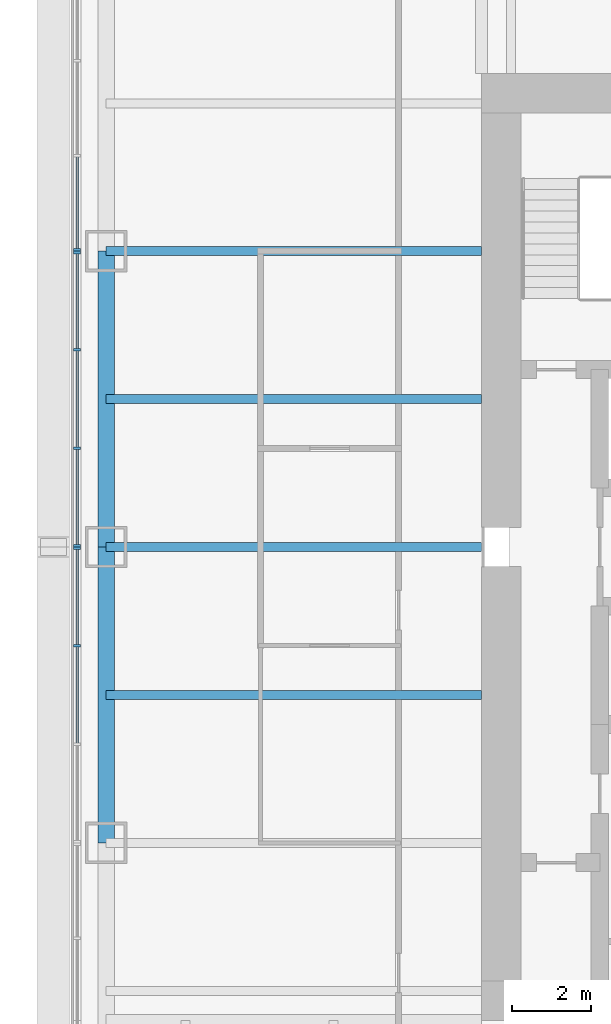
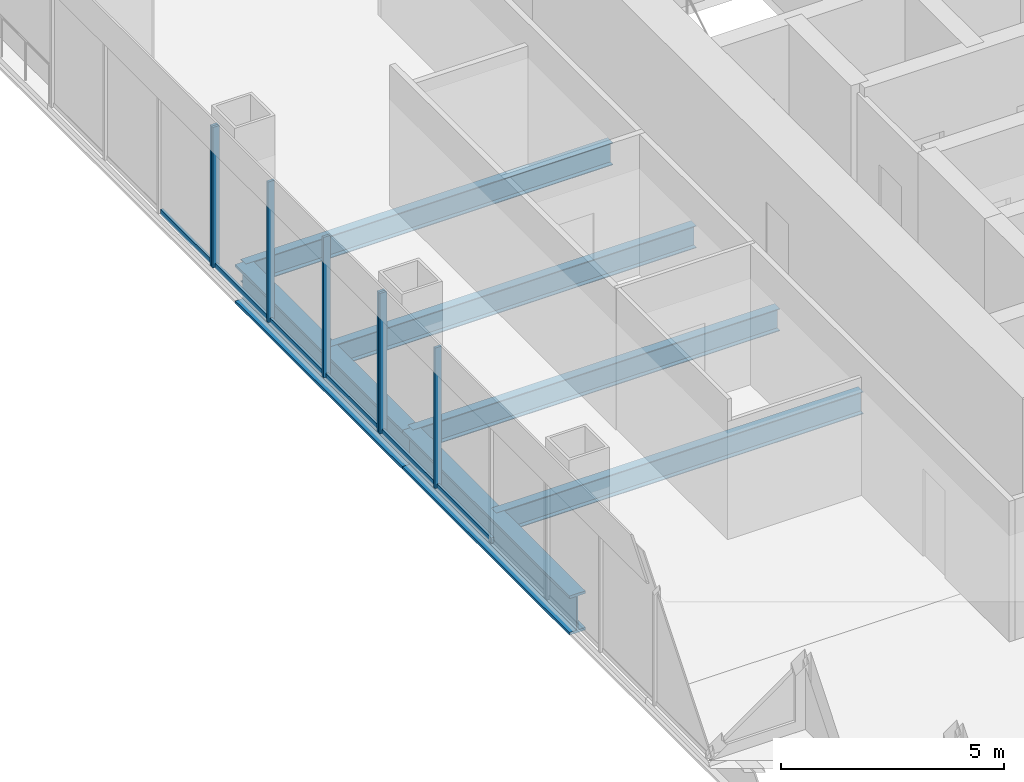
# One storey, part 5 of 19: 13 members, 6 beams, 3 elements without a shape of their own.
"""IFC4 building model written with IfcOpenShell, lengths in metres."""

import ifcopenshell
import ifcopenshell.guid

model = None  # the IFC model being written
_history = None  # IfcOwnerHistory: only IFC2X3 demands one
_inside = {}  # id of a spatial element -> (the spatial element, [elements in it])
_under = {}  # id of a project, library or spatial element -> (it, [spatial elements below it])
_declared = {}  # id of a project -> (the project, [libraries it declares])
_typed = {}  # id of a type object -> (the type object, [elements of that type])
_made_of = {}  # id of a material, layer set ... -> (it, [elements and type objects made of it])


def new_model(schema):
    """Start an empty IFC model of exactly this schema.

    Asked for "IFC4X3", IfcOpenShell would pick the latest addendum, in which some entities
    have other attributes; the version numbers below select the first issue.
    IFC2X3 requires an IfcOwnerHistory on every rooted entity: one is made here for all.
    """
    global model, _history
    if schema == "IFC4X3":
        model = ifcopenshell.file(schema_version=(4, 3, 0, 0))
    else:
        model = ifcopenshell.file(schema=schema)
    _inside.clear()
    _under.clear()
    _declared.clear()
    _typed.clear()
    _made_of.clear()
    _history = None
    if model.schema == "IFC2X3":
        org = make("IfcOrganization", Name="unknown")
        user = make(
            "IfcPersonAndOrganization",
            ThePerson=make("IfcPerson", FamilyName="unknown"),
            TheOrganization=org,
        )
        app = make(
            "IfcApplication",
            ApplicationDeveloper=org,
            Version="unknown",
            ApplicationFullName="unknown",
            ApplicationIdentifier="unknown",
        )
        _history = make(
            "IfcOwnerHistory",
            OwningUser=user,
            OwningApplication=app,
            ChangeAction="ADDED",
            CreationDate=0,
        )
    return model


def make(cls, **values):
    """One entity of the class cls with the attributes given. An attribute that is None is left unset."""
    return model.create_entity(
        cls, **{name: value for name, value in values.items() if value is not None}
    )


def rooted(cls, **values):
    """An entity with a GlobalId (a new one), such as an element, a storey or a relation."""
    return make(cls, GlobalId=ifcopenshell.guid.new(), OwnerHistory=_history, **values)


def si_unit(unit_type, name, prefix=None):
    """IfcSIUnit, for example si_unit("LENGTHUNIT", "METRE", prefix="MILLI")."""
    return make("IfcSIUnit", UnitType=unit_type, Prefix=prefix, Name=name)


def assignment(units):
    """IfcUnitAssignment: the units of a project."""
    return None if units is None else make("IfcUnitAssignment", Units=units)


def point(xyz):
    """IfcCartesianPoint."""
    return None if xyz is None else make("IfcCartesianPoint", Coordinates=xyz)


def direction(xyz):
    """IfcDirection."""
    return None if xyz is None else make("IfcDirection", DirectionRatios=xyz)


def frame(location, z_axis=None, x_axis=None):
    """IfcAxis2Placement3D, a coordinate frame: its origin and axes. An axis left out is left unset."""
    return make(
        "IfcAxis2Placement3D",
        Location=point(location),
        Axis=direction(z_axis),
        RefDirection=direction(x_axis),
    )


def frame_2d(location, x_axis=None):
    """IfcAxis2Placement2D, a coordinate frame in the plane: its origin and x axis."""
    return make(
        "IfcAxis2Placement2D", Location=point(location), RefDirection=direction(x_axis)
    )


def origin():
    """The frame at (0, 0, 0) with its axes left unset."""
    return frame((0.0, 0.0, 0.0))


def origin_2d():
    """The frame at (0, 0) in the plane with its x axis left unset."""
    return frame_2d((0.0, 0.0))


def place(relative_to, where):
    """IfcLocalPlacement: puts the frame where relative to a parent placement (None: the world)."""
    return make(
        "IfcLocalPlacement", PlacementRelTo=relative_to, RelativePlacement=where
    )


def context(
    kind, dimensions, precision=None, world=None, true_north=None, identifier=None
):
    """IfcGeometricRepresentationContext, for example the 3D "Model" context."""
    return make(
        "IfcGeometricRepresentationContext",
        ContextIdentifier=identifier,
        ContextType=kind,
        CoordinateSpaceDimension=dimensions,
        Precision=precision,
        WorldCoordinateSystem=world,
        TrueNorth=true_north,
    )


def subcontext(parent, identifier, kind, view, scale=None):
    """IfcGeometricRepresentationSubContext, for example "Body" below "Model"."""
    return make(
        "IfcGeometricRepresentationSubContext",
        ContextIdentifier=identifier,
        ContextType=kind,
        ParentContext=parent,
        TargetScale=scale,
        TargetView=view,
    )


def project(units=None, contexts=None):
    """IfcProject with its units and contexts."""
    return rooted(
        "IfcProject",
        Name="project",
        RepresentationContexts=contexts,
        UnitsInContext=assignment(units),
    )


def spatial(cls, under=None, at=None, **own):
    """A site, building, storey or space (cls), placed at a placement, below another one or the project."""
    s = rooted(cls, ObjectPlacement=at, **own)
    if under is not None:
        _under.setdefault(under.id(), (under, []))[1].append(s)
    return s


def profile(cls, at=None, kind="AREA", **sizes):
    """A parametric profile (cls). Its sizes go by their IFC names, for example OverallWidth=200.0."""
    return make(cls, ProfileType=kind, Position=at, **sizes)


def rectangle(**sizes):
    """IfcRectangleProfileDef."""
    return profile("IfcRectangleProfileDef", **sizes)


def i_section(**sizes):
    """IfcIShapeProfileDef."""
    return profile("IfcIShapeProfileDef", **sizes)


def extrude(swept, where, along, depth):
    """IfcExtrudedAreaSolid: the profile swept, set in the frame where, extruded along a direction by depth."""
    return make(
        "IfcExtrudedAreaSolid",
        SweptArea=swept,
        Position=where,
        ExtrudedDirection=direction(along),
        Depth=depth,
    )


def shape(context_of_items, identifier, shape_type, items):
    """IfcShapeRepresentation: the items that make up one representation, for example the "Body"."""
    return make(
        "IfcShapeRepresentation",
        ContextOfItems=context_of_items,
        RepresentationIdentifier=identifier,
        RepresentationType=shape_type,
        Items=items,
    )


def material(Name=None, Category=None):
    """IfcMaterial."""
    return make("IfcMaterial", Name=Name, Category=Category)


def material_profile(
    of_material, cross_section, Name=None, Category=None, Priority=None
):
    """IfcMaterialProfile: a cross section and its material."""
    return make(
        "IfcMaterialProfile",
        Name=Name,
        Material=of_material,
        Profile=cross_section,
        Priority=Priority,
        Category=Category,
    )


def profile_set(profiles, Name=None, composite=None):
    """IfcMaterialProfileSet."""
    return make(
        "IfcMaterialProfileSet",
        Name=Name,
        MaterialProfiles=profiles,
        CompositeProfile=composite,
    )


def made_of(thing, what):
    """Note that an element or type object is made of a material, layer set ...; save() writes the relation."""
    if what is not None:
        _made_of.setdefault(what.id(), (what, []))[1].append(thing)
    return thing


def type_object(cls, material=None, **own):
    """A type object (cls), such as IfcWallType, which elements share."""
    return made_of(rooted(cls, **own), material)


def element(
    cls,
    number,
    at=None,
    inside=None,
    cuts=None,
    type_object=None,
    material=None,
    context=None,
    identifier="Body",
    shape_type=None,
    held_by="IfcProductDefinitionShape",
    body=None,
    shapes=None,
    **own,
):
    """One element of the class cls, such as IfcWall. Its Tag is "e" and its number.

    at: its placement. inside: the storey or other place that contains it. cuts: it is an
    opening in that element (IfcRelVoidsElement). A single representation is given by context,
    identifier, shape_type and body (its items); several are given by shapes. held_by: the class
    of the entity that holds the representations. save() writes the other relations.
    """
    e = rooted(cls, Tag="e%d" % number, ObjectPlacement=at, **own)
    if body is not None:
        shapes = [shape(context, identifier, shape_type, body)]
    if shapes is not None:
        e.Representation = make(held_by, Representations=shapes)
    if inside is not None:
        _inside.setdefault(inside.id(), (inside, []))[1].append(e)
    if cuts is not None:
        rooted(
            "IfcRelVoidsElement", RelatingBuildingElement=cuts, RelatedOpeningElement=e
        )
    if type_object is not None:
        _typed.setdefault(type_object.id(), (type_object, []))[1].append(e)
    return made_of(e, material)


def aggregate(whole, parts):
    """IfcRelAggregates: a whole, such as a stair, and the parts it consists of."""
    return rooted("IfcRelAggregates", RelatingObject=whole, RelatedObjects=parts)


def save(model, path):
    """Write the relations noted so far, then the file.

    IfcRelAggregates (storeys below a building ...), IfcRelContainedInSpatialStructure (elements
    in a storey), IfcRelDefinesByType, IfcRelAssociatesMaterial and IfcRelDeclares: one each for
    every whole, place, type object, material and project.
    """
    for whole, parts in _under.values():
        aggregate(whole, parts)
    for where, things in _inside.values():
        rooted(
            "IfcRelContainedInSpatialStructure",
            RelatedElements=things,
            RelatingStructure=where,
        )
    for kind, things in _typed.values():
        rooted("IfcRelDefinesByType", RelatedObjects=things, RelatingType=kind)
    for what, things in _made_of.values():
        rooted("IfcRelAssociatesMaterial", RelatedObjects=things, RelatingMaterial=what)
    for by, libraries in _declared.values():
        rooted("IfcRelDeclares", RelatingContext=by, RelatedDefinitions=libraries)
    model.write(path)


model = new_model("IFC4")

# Units and contexts
model_context = context("Model", 3, precision=1e-05, world=origin(), true_north=direction((0.0, 1.0)))
body_context = subcontext(model_context, "Body", "Model", "MODEL_VIEW")
ifc_project = project(units=[si_unit("LENGTHUNIT", "METRE"), si_unit("AREAUNIT", "SQUARE_METRE"), si_unit("VOLUMEUNIT", "CUBIC_METRE"), si_unit("PLANEANGLEUNIT", "RADIAN"), si_unit("MASSUNIT", "GRAM", prefix="KILO")], contexts=[model_context])

# Site, building, storey
site_placement = place(None, origin())
site = spatial("IfcSite", under=ifc_project, at=site_placement, CompositionType="ELEMENT")
building_placement = place(site_placement, origin())
building = spatial("IfcBuilding", under=site, at=building_placement, Name="Tarangal Relay Tower", CompositionType="ELEMENT")
storey_placement = place(building_placement, frame((0.0, 0.0, 213.89990234375)))
storey = spatial("IfcBuildingStorey", under=building, at=storey_placement, Name="L45", CompositionType="ELEMENT", Elevation=213.89990234375)

# Beams
ifc_material_1 = material(Name="Steel ASTM A992", Category="steel")
ifc_material_profile_1 = material_profile(ifc_material_1, i_section(OverallWidth=0.41650390625, OverallDepth=1.0693359375, WebThickness=0.0390625, FlangeThickness=0.070068359375, at=origin_2d()), Name="W40X503")
ifc_profile_set_1 = profile_set([ifc_material_profile_1], Name="Steel ASTM A992")
beam_type_1 = type_object("IfcBeamType", Name="Edge girder W40X503", PredefinedType="SPANDREL", material=ifc_profile_set_1)
for number, where, z_axis, x_axis, name in (
    (1, (-21.514892578125, -7.5, -0.6845703125), (0.0, 1.0, 0.0), (-1.0, 0.0, 0.0), "Edge girder EG8 W L45"),
    (2, (-21.514892578125, 0.0, -0.6845703125), (0.0, 1.0, 0.0), (-1.0, 0.0, 0.0), "Edge girder EG8 W L45"),
):
    element("IfcBeam", number, at=place(storey_placement, frame(where, z_axis=z_axis, x_axis=x_axis)), inside=storey, type_object=beam_type_1, Name=name, PredefinedType="SPANDREL", context=body_context, shape_type="SweptSolid", body=[
        extrude(i_section(OverallWidth=0.41650390625, OverallDepth=1.0693359375, WebThickness=0.0390625, FlangeThickness=0.070068359375, at=origin_2d()), origin(), (0.0, 0.0, 1.0), 7.5),
    ])
ifc_material_profile_2 = material_profile(ifc_material_1, i_section(OverallWidth=0.22900390625, OverallDepth=0.612060546875, WebThickness=0.011962890625, FlangeThickness=0.01953125, at=origin_2d()), Name="W24X84")
ifc_profile_set_2 = profile_set([ifc_material_profile_2], Name="Steel ASTM A992")
beam_type_2 = type_object("IfcBeamType", Name="Floor beam W24X84", PredefinedType="BEAM", material=ifc_profile_set_2)
for number, where, z_axis, x_axis, name in (
    (3, (-12.0, -3.75, -0.455810546875), (-1.0, 0.0, 0.0), (0.0, -1.0, 0.0), "Floor beam RB12 W L45"),
    (4, (-12.0, 0.0, -0.455810546875), (-1.0, 0.0, 0.0), (0.0, -1.0, 0.0), "Floor beam RB12 W L45"),
    (5, (-12.0, 3.75, -0.455810546875), (-1.0, 0.0, 0.0), (0.0, -1.0, 0.0), "Floor beam RB12 W L45"),
    (6, (-12.0, 7.5, -0.455810546875), (-1.0, 0.0, 0.0), (0.0, -1.0, 0.0), "Floor beam RB12 W L45"),
):
    element("IfcBeam", number, at=place(storey_placement, frame(where, z_axis=z_axis, x_axis=x_axis)), inside=storey, type_object=beam_type_2, Name=name, PredefinedType="BEAM", context=body_context, shape_type="SweptSolid", body=[
        extrude(i_section(OverallWidth=0.22900390625, OverallDepth=0.612060546875, WebThickness=0.011962890625, FlangeThickness=0.01953125, at=origin_2d()), origin(), (0.0, 0.0, 1.0), 9.514892578125),
    ])

# Curtain wall, members
ifc_material_2 = material(Name="Unitised curtain wall, dark glass and black aluminium", Category="aluminium")
curtain_wall_type = type_object("IfcCurtainWallType", Name="Curtain wall CW-A", PredefinedType="USERDEFINED", material=ifc_material_2)
curtain_wall_1_placement = place(storey_placement, origin())
curtain_wall_1 = element("IfcCurtainWall", 7, at=curtain_wall_1_placement, inside=storey, type_object=curtain_wall_type, Name="Curtain wall CW-A W facade L45", ObjectType="UNITISED CURTAIN WALL", PredefinedType="USERDEFINED")
ifc_material_3 = material(Name="Black anodised aluminium mullion", Category="aluminium")
ifc_material_profile_3 = material_profile(ifc_material_3, rectangle(XDim=0.175048828125, YDim=0.06494140625, at=origin_2d()), Name="CW-AM 65X175")
ifc_profile_set_3 = profile_set([ifc_material_profile_3], Name="Black anodised aluminium mullion")
member_type_1 = type_object("IfcMemberType", Name="Mullion CW-A 65 x 175", PredefinedType="MULLION", material=ifc_profile_set_3)
member_1_placement = place(storey_placement, frame((-22.25, -2.5, 0.0), z_axis=(0.0, 0.0, 1.0), x_axis=(-1.0, 0.0, 0.0)))
member_1 = element("IfcMember", 8, at=member_1_placement, type_object=member_type_1, Name="CW-A mullion 3", PredefinedType="MULLION", context=body_context, shape_type="SweptSolid", body=[
    extrude(rectangle(XDim=0.175048828125, YDim=0.06494140625, at=origin_2d()), origin(), (0.0, 0.0, 1.0), 3.85009765625),
])
member_2_placement = place(storey_placement, frame((-22.25, -0.032470703125, 0.0), z_axis=(0.0, 0.0, 1.0), x_axis=(-1.0, 0.0, 0.0)))
member_2 = element("IfcMember", 9, at=member_2_placement, type_object=member_type_1, Name="CW-A mullion 4", PredefinedType="MULLION", context=body_context, shape_type="SweptSolid", body=[
    extrude(rectangle(XDim=0.175048828125, YDim=0.06494140625, at=origin_2d()), origin(), (0.0, 0.0, 1.0), 3.85009765625),
])

curtain_wall_2_placement = place(storey_placement, origin())
curtain_wall_2 = element("IfcCurtainWall", 10, at=curtain_wall_2_placement, inside=storey, type_object=curtain_wall_type, Name="Curtain wall CW-A W facade L45", ObjectType="UNITISED CURTAIN WALL", PredefinedType="USERDEFINED")
member_3_placement = place(storey_placement, frame((-22.25, 0.032470703125, 0.0), z_axis=(0.0, 0.0, 1.0), x_axis=(-1.0, 0.0, 0.0)))
member_3 = element("IfcMember", 11, at=member_3_placement, type_object=member_type_1, Name="CW-A mullion 1", PredefinedType="MULLION", context=body_context, shape_type="SweptSolid", body=[
    extrude(rectangle(XDim=0.175048828125, YDim=0.06494140625, at=origin_2d()), origin(), (0.0, 0.0, 1.0), 3.85009765625),
])
member_4_placement = place(storey_placement, frame((-22.25, 2.5, 0.0), z_axis=(0.0, 0.0, 1.0), x_axis=(-1.0, 0.0, 0.0)))
member_4 = element("IfcMember", 12, at=member_4_placement, type_object=member_type_1, Name="CW-A mullion 2", PredefinedType="MULLION", context=body_context, shape_type="SweptSolid", body=[
    extrude(rectangle(XDim=0.175048828125, YDim=0.06494140625, at=origin_2d()), origin(), (0.0, 0.0, 1.0), 3.85009765625),
])
member_5_placement = place(storey_placement, frame((-22.25, 5.0, 0.0), z_axis=(0.0, 0.0, 1.0), x_axis=(-1.0, 0.0, 0.0)))
member_5 = element("IfcMember", 13, at=member_5_placement, type_object=member_type_1, Name="CW-A mullion 3", PredefinedType="MULLION", context=body_context, shape_type="SweptSolid", body=[
    extrude(rectangle(XDim=0.175048828125, YDim=0.06494140625, at=origin_2d()), origin(), (0.0, 0.0, 1.0), 3.85009765625),
])
member_6_placement = place(storey_placement, frame((-22.25, 7.467529296875, 0.0), z_axis=(0.0, 0.0, 1.0), x_axis=(-1.0, 0.0, 0.0)))
member_6 = element("IfcMember", 14, at=member_6_placement, type_object=member_type_1, Name="CW-A mullion 4", PredefinedType="MULLION", context=body_context, shape_type="SweptSolid", body=[
    extrude(rectangle(XDim=0.175048828125, YDim=0.06494140625, at=origin_2d()), origin(), (0.0, 0.0, 1.0), 3.85009765625),
])

# Curtain wall, member
curtain_wall_3_placement = place(storey_placement, origin())
curtain_wall_3 = element("IfcCurtainWall", 15, at=curtain_wall_3_placement, inside=storey, type_object=curtain_wall_type, Name="Curtain wall CW-A W facade L45", ObjectType="UNITISED CURTAIN WALL", PredefinedType="USERDEFINED")
member_7_placement = place(storey_placement, frame((-22.25, 7.532470703125, 0.0), z_axis=(0.0, 0.0, 1.0), x_axis=(-1.0, 0.0, 0.0)))
member_7 = element("IfcMember", 16, at=member_7_placement, type_object=member_type_1, Name="CW-A mullion 1", PredefinedType="MULLION", context=body_context, shape_type="SweptSolid", body=[
    extrude(rectangle(XDim=0.175048828125, YDim=0.06494140625, at=origin_2d()), origin(), (0.0, 0.0, 1.0), 3.85009765625),
])

# Member
ifc_material_4 = material(Name="Black anodised aluminium transom", Category="aluminium")
ifc_material_profile_4 = material_profile(ifc_material_4, rectangle(XDim=0.06494140625, YDim=0.14990234375, at=origin_2d()), Name="CW-AT 65X150")
ifc_profile_set_4 = profile_set([ifc_material_profile_4], Name="Black anodised aluminium transom")
member_type_2 = type_object("IfcMemberType", Name="Transom CW-A 65 x 150", PredefinedType="USERDEFINED", material=ifc_profile_set_4)
member_8_placement = place(storey_placement, frame((-22.25, -4.967529296875, 0.03271484375), z_axis=(0.0, 1.0, 0.0), x_axis=(-1.0, 0.0, 0.0)))
member_8 = element("IfcMember", 17, at=member_8_placement, type_object=member_type_2, Name="CW-A transom 2.1", ObjectType="TRANSOM", PredefinedType="USERDEFINED", context=body_context, shape_type="SweptSolid", body=[
    extrude(rectangle(XDim=0.06494140625, YDim=0.14990234375, at=origin_2d()), origin(), (0.0, 0.0, 1.0), 2.43505859375),
])

member_9_placement = place(storey_placement, frame((-22.25, -2.467529296875, 0.03271484375), z_axis=(0.0, 1.0, 0.0), x_axis=(-1.0, 0.0, 0.0)))
member_9 = element("IfcMember", 18, at=member_9_placement, type_object=member_type_2, Name="CW-A transom 3.1", ObjectType="TRANSOM", PredefinedType="USERDEFINED", context=body_context, shape_type="SweptSolid", body=[
    extrude(rectangle(XDim=0.06494140625, YDim=0.14990234375, at=origin_2d()), origin(), (0.0, 0.0, 1.0), 2.402587890625),
])

aggregate(curtain_wall_1, [member_1, member_2, member_8, member_9])

member_10_placement = place(storey_placement, frame((-22.25, 0.06494140625, 0.03271484375), z_axis=(0.0, 1.0, 0.0), x_axis=(-1.0, 0.0, 0.0)))
member_10 = element("IfcMember", 19, at=member_10_placement, type_object=member_type_2, Name="CW-A transom 1.1", ObjectType="TRANSOM", PredefinedType="USERDEFINED", context=body_context, shape_type="SweptSolid", body=[
    extrude(rectangle(XDim=0.06494140625, YDim=0.14990234375, at=origin_2d()), origin(), (0.0, 0.0, 1.0), 2.402587890625),
])

member_11_placement = place(storey_placement, frame((-22.25, 2.532470703125, 0.03271484375), z_axis=(0.0, 1.0, 0.0), x_axis=(-1.0, 0.0, 0.0)))
member_11 = element("IfcMember", 20, at=member_11_placement, type_object=member_type_2, Name="CW-A transom 2.1", ObjectType="TRANSOM", PredefinedType="USERDEFINED", context=body_context, shape_type="SweptSolid", body=[
    extrude(rectangle(XDim=0.06494140625, YDim=0.14990234375, at=origin_2d()), origin(), (0.0, 0.0, 1.0), 2.43505859375),
])

member_12_placement = place(storey_placement, frame((-22.25, 5.032470703125, 0.03271484375), z_axis=(0.0, 1.0, 0.0), x_axis=(-1.0, 0.0, 0.0)))
member_12 = element("IfcMember", 21, at=member_12_placement, type_object=member_type_2, Name="CW-A transom 3.1", ObjectType="TRANSOM", PredefinedType="USERDEFINED", context=body_context, shape_type="SweptSolid", body=[
    extrude(rectangle(XDim=0.06494140625, YDim=0.14990234375, at=origin_2d()), origin(), (0.0, 0.0, 1.0), 2.402587890625),
])

aggregate(curtain_wall_2, [member_3, member_4, member_5, member_6, member_10, member_11, member_12])

member_13_placement = place(storey_placement, frame((-22.25, 7.56494140625, 0.03271484375), z_axis=(0.0, 1.0, 0.0), x_axis=(-1.0, 0.0, 0.0)))
member_13 = element("IfcMember", 22, at=member_13_placement, type_object=member_type_2, Name="CW-A transom 1.1", ObjectType="TRANSOM", PredefinedType="USERDEFINED", context=body_context, shape_type="SweptSolid", body=[
    extrude(rectangle(XDim=0.06494140625, YDim=0.14990234375, at=origin_2d()), origin(), (0.0, 0.0, 1.0), 2.3193359375),
])

aggregate(curtain_wall_3, [member_7, member_13])

save(model, "model.ifc")
